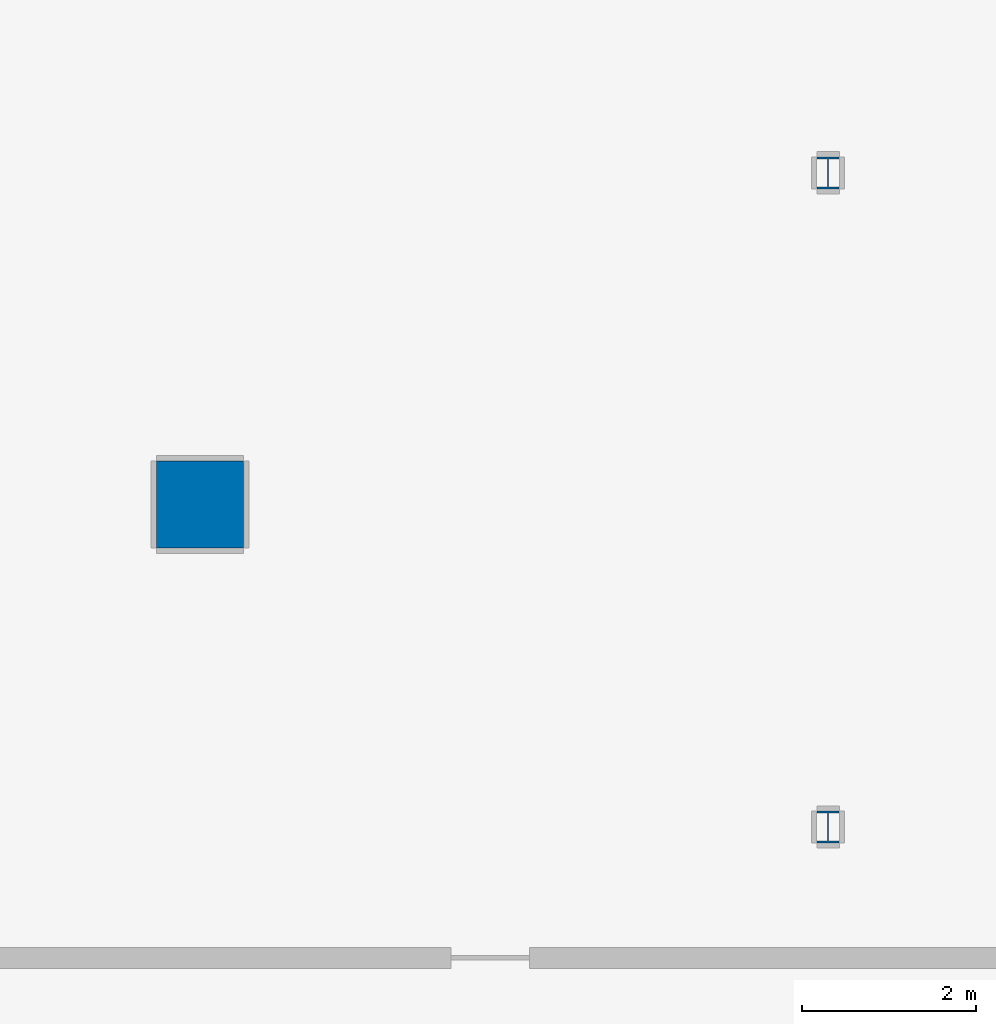
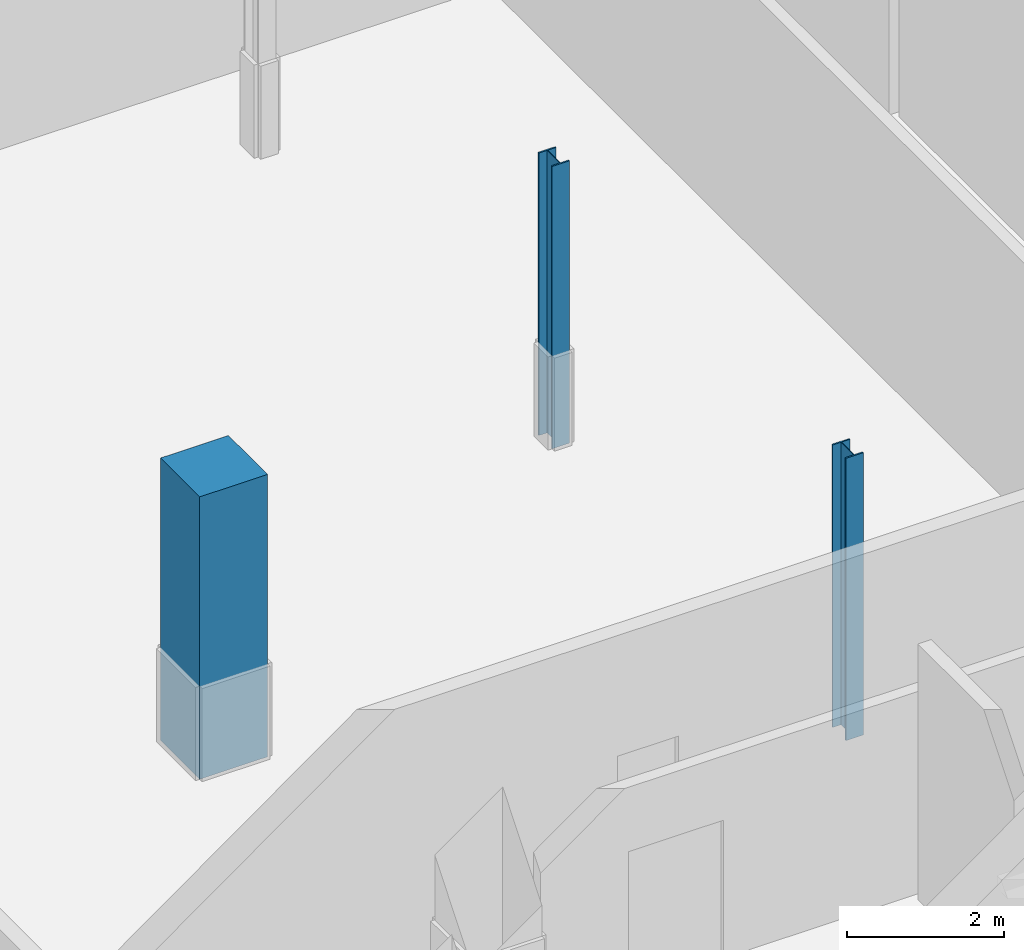
# One storey, part 2 of 22: 3 columns.
"""IFC4 building model written with IfcOpenShell, lengths in metres."""

import ifcopenshell
import ifcopenshell.guid

model = None  # the IFC model being written
_history = None  # IfcOwnerHistory: only IFC2X3 demands one
_inside = {}  # id of a spatial element -> (the spatial element, [elements in it])
_under = {}  # id of a project, library or spatial element -> (it, [spatial elements below it])
_declared = {}  # id of a project -> (the project, [libraries it declares])
_typed = {}  # id of a type object -> (the type object, [elements of that type])
_made_of = {}  # id of a material, layer set ... -> (it, [elements and type objects made of it])


def new_model(schema):
    """Start an empty IFC model of exactly this schema.

    Asked for "IFC4X3", IfcOpenShell would pick the latest addendum, in which some entities
    have other attributes; the version numbers below select the first issue.
    IFC2X3 requires an IfcOwnerHistory on every rooted entity: one is made here for all.
    """
    global model, _history
    if schema == "IFC4X3":
        model = ifcopenshell.file(schema_version=(4, 3, 0, 0))
    else:
        model = ifcopenshell.file(schema=schema)
    _inside.clear()
    _under.clear()
    _declared.clear()
    _typed.clear()
    _made_of.clear()
    _history = None
    if model.schema == "IFC2X3":
        org = make("IfcOrganization", Name="unknown")
        user = make(
            "IfcPersonAndOrganization",
            ThePerson=make("IfcPerson", FamilyName="unknown"),
            TheOrganization=org,
        )
        app = make(
            "IfcApplication",
            ApplicationDeveloper=org,
            Version="unknown",
            ApplicationFullName="unknown",
            ApplicationIdentifier="unknown",
        )
        _history = make(
            "IfcOwnerHistory",
            OwningUser=user,
            OwningApplication=app,
            ChangeAction="ADDED",
            CreationDate=0,
        )
    return model


def make(cls, **values):
    """One entity of the class cls with the attributes given. An attribute that is None is left unset."""
    return model.create_entity(
        cls, **{name: value for name, value in values.items() if value is not None}
    )


def rooted(cls, **values):
    """An entity with a GlobalId (a new one), such as an element, a storey or a relation."""
    return make(cls, GlobalId=ifcopenshell.guid.new(), OwnerHistory=_history, **values)


def si_unit(unit_type, name, prefix=None):
    """IfcSIUnit, for example si_unit("LENGTHUNIT", "METRE", prefix="MILLI")."""
    return make("IfcSIUnit", UnitType=unit_type, Prefix=prefix, Name=name)


def assignment(units):
    """IfcUnitAssignment: the units of a project."""
    return None if units is None else make("IfcUnitAssignment", Units=units)


def point(xyz):
    """IfcCartesianPoint."""
    return None if xyz is None else make("IfcCartesianPoint", Coordinates=xyz)


def direction(xyz):
    """IfcDirection."""
    return None if xyz is None else make("IfcDirection", DirectionRatios=xyz)


def frame(location, z_axis=None, x_axis=None):
    """IfcAxis2Placement3D, a coordinate frame: its origin and axes. An axis left out is left unset."""
    return make(
        "IfcAxis2Placement3D",
        Location=point(location),
        Axis=direction(z_axis),
        RefDirection=direction(x_axis),
    )


def frame_2d(location, x_axis=None):
    """IfcAxis2Placement2D, a coordinate frame in the plane: its origin and x axis."""
    return make(
        "IfcAxis2Placement2D", Location=point(location), RefDirection=direction(x_axis)
    )


def origin():
    """The frame at (0, 0, 0) with its axes left unset."""
    return frame((0.0, 0.0, 0.0))


def origin_2d():
    """The frame at (0, 0) in the plane with its x axis left unset."""
    return frame_2d((0.0, 0.0))


def place(relative_to, where):
    """IfcLocalPlacement: puts the frame where relative to a parent placement (None: the world)."""
    return make(
        "IfcLocalPlacement", PlacementRelTo=relative_to, RelativePlacement=where
    )


def context(
    kind, dimensions, precision=None, world=None, true_north=None, identifier=None
):
    """IfcGeometricRepresentationContext, for example the 3D "Model" context."""
    return make(
        "IfcGeometricRepresentationContext",
        ContextIdentifier=identifier,
        ContextType=kind,
        CoordinateSpaceDimension=dimensions,
        Precision=precision,
        WorldCoordinateSystem=world,
        TrueNorth=true_north,
    )


def subcontext(parent, identifier, kind, view, scale=None):
    """IfcGeometricRepresentationSubContext, for example "Body" below "Model"."""
    return make(
        "IfcGeometricRepresentationSubContext",
        ContextIdentifier=identifier,
        ContextType=kind,
        ParentContext=parent,
        TargetScale=scale,
        TargetView=view,
    )


def project(units=None, contexts=None):
    """IfcProject with its units and contexts."""
    return rooted(
        "IfcProject",
        Name="project",
        RepresentationContexts=contexts,
        UnitsInContext=assignment(units),
    )


def spatial(cls, under=None, at=None, **own):
    """A site, building, storey or space (cls), placed at a placement, below another one or the project."""
    s = rooted(cls, ObjectPlacement=at, **own)
    if under is not None:
        _under.setdefault(under.id(), (under, []))[1].append(s)
    return s


def profile(cls, at=None, kind="AREA", **sizes):
    """A parametric profile (cls). Its sizes go by their IFC names, for example OverallWidth=200.0."""
    return make(cls, ProfileType=kind, Position=at, **sizes)


def rectangle(**sizes):
    """IfcRectangleProfileDef."""
    return profile("IfcRectangleProfileDef", **sizes)


def i_section(**sizes):
    """IfcIShapeProfileDef."""
    return profile("IfcIShapeProfileDef", **sizes)


def extrude(swept, where, along, depth):
    """IfcExtrudedAreaSolid: the profile swept, set in the frame where, extruded along a direction by depth."""
    return make(
        "IfcExtrudedAreaSolid",
        SweptArea=swept,
        Position=where,
        ExtrudedDirection=direction(along),
        Depth=depth,
    )


def shape(context_of_items, identifier, shape_type, items):
    """IfcShapeRepresentation: the items that make up one representation, for example the "Body"."""
    return make(
        "IfcShapeRepresentation",
        ContextOfItems=context_of_items,
        RepresentationIdentifier=identifier,
        RepresentationType=shape_type,
        Items=items,
    )


def material(Name=None, Category=None):
    """IfcMaterial."""
    return make("IfcMaterial", Name=Name, Category=Category)


def material_profile(
    of_material, cross_section, Name=None, Category=None, Priority=None
):
    """IfcMaterialProfile: a cross section and its material."""
    return make(
        "IfcMaterialProfile",
        Name=Name,
        Material=of_material,
        Profile=cross_section,
        Priority=Priority,
        Category=Category,
    )


def profile_set(profiles, Name=None, composite=None):
    """IfcMaterialProfileSet."""
    return make(
        "IfcMaterialProfileSet",
        Name=Name,
        MaterialProfiles=profiles,
        CompositeProfile=composite,
    )


def made_of(thing, what):
    """Note that an element or type object is made of a material, layer set ...; save() writes the relation."""
    if what is not None:
        _made_of.setdefault(what.id(), (what, []))[1].append(thing)
    return thing


def type_object(cls, material=None, **own):
    """A type object (cls), such as IfcWallType, which elements share."""
    return made_of(rooted(cls, **own), material)


def element(
    cls,
    number,
    at=None,
    inside=None,
    cuts=None,
    type_object=None,
    material=None,
    context=None,
    identifier="Body",
    shape_type=None,
    held_by="IfcProductDefinitionShape",
    body=None,
    shapes=None,
    **own,
):
    """One element of the class cls, such as IfcWall. Its Tag is "e" and its number.

    at: its placement. inside: the storey or other place that contains it. cuts: it is an
    opening in that element (IfcRelVoidsElement). A single representation is given by context,
    identifier, shape_type and body (its items); several are given by shapes. held_by: the class
    of the entity that holds the representations. save() writes the other relations.
    """
    e = rooted(cls, Tag="e%d" % number, ObjectPlacement=at, **own)
    if body is not None:
        shapes = [shape(context, identifier, shape_type, body)]
    if shapes is not None:
        e.Representation = make(held_by, Representations=shapes)
    if inside is not None:
        _inside.setdefault(inside.id(), (inside, []))[1].append(e)
    if cuts is not None:
        rooted(
            "IfcRelVoidsElement", RelatingBuildingElement=cuts, RelatedOpeningElement=e
        )
    if type_object is not None:
        _typed.setdefault(type_object.id(), (type_object, []))[1].append(e)
    return made_of(e, material)


def aggregate(whole, parts):
    """IfcRelAggregates: a whole, such as a stair, and the parts it consists of."""
    return rooted("IfcRelAggregates", RelatingObject=whole, RelatedObjects=parts)


def save(model, path):
    """Write the relations noted so far, then the file.

    IfcRelAggregates (storeys below a building ...), IfcRelContainedInSpatialStructure (elements
    in a storey), IfcRelDefinesByType, IfcRelAssociatesMaterial and IfcRelDeclares: one each for
    every whole, place, type object, material and project.
    """
    for whole, parts in _under.values():
        aggregate(whole, parts)
    for where, things in _inside.values():
        rooted(
            "IfcRelContainedInSpatialStructure",
            RelatedElements=things,
            RelatingStructure=where,
        )
    for kind, things in _typed.values():
        rooted("IfcRelDefinesByType", RelatedObjects=things, RelatingType=kind)
    for what, things in _made_of.values():
        rooted("IfcRelAssociatesMaterial", RelatedObjects=things, RelatingMaterial=what)
    for by, libraries in _declared.values():
        rooted("IfcRelDeclares", RelatingContext=by, RelatedDefinitions=libraries)
    model.write(path)


model = new_model("IFC4")

# Units and contexts
model_context = context("Model", 3, precision=1e-05, world=origin(), true_north=direction((0.0, 1.0)))
body_context = subcontext(model_context, "Body", "Model", "MODEL_VIEW")
ifc_project = project(units=[si_unit("LENGTHUNIT", "METRE"), si_unit("AREAUNIT", "SQUARE_METRE"), si_unit("VOLUMEUNIT", "CUBIC_METRE"), si_unit("PLANEANGLEUNIT", "RADIAN"), si_unit("MASSUNIT", "GRAM", prefix="KILO")], contexts=[model_context])

# Site, building, storey
site_placement = place(None, origin())
site = spatial("IfcSite", under=ifc_project, at=site_placement, CompositionType="ELEMENT")
building_placement = place(site_placement, origin())
building = spatial("IfcBuilding", under=site, at=building_placement, Name="Solanera Arch Residences", CompositionType="ELEMENT")
storey_placement = place(building_placement, frame((0.0, 0.0, -4.39990234375)))
storey = spatial("IfcBuildingStorey", under=building, at=storey_placement, Name="B01", CompositionType="ELEMENT", Elevation=-4.39990234375)

# Columns
ifc_material_1 = material(Name="Concrete C55/67 (f'c = 60 MPa)", Category="concrete")
ifc_material_profile_1 = material_profile(ifc_material_1, rectangle(XDim=1.0, YDim=1.0, at=origin_2d()))
ifc_profile_set_1 = profile_set([ifc_material_profile_1], Name="Concrete C55/67 (f'c = 60 MPa)")
column_type_1 = type_object("IfcColumnType", Name="Structural Column RC-COL-1000X1000", PredefinedType="COLUMN", material=ifc_profile_set_1)
column_placement = place(storey_placement, frame((55.800048828125, 26.800048828125, 0.0), z_axis=(0.0, 0.0, 1.0), x_axis=(1.0, 0.0, 0.0)))
element("IfcColumn", 1, at=column_placement, inside=storey, type_object=column_type_1, Name="COL-B01-HALL-03", PredefinedType="COLUMN", context=body_context, shape_type="SweptSolid", body=[
    extrude(rectangle(XDim=1.0, YDim=1.0, at=origin_2d()), origin(), (0.0, 0.0, 1.0), 4.39990234375),
])
ifc_material_2 = material(Name="Steel S355 (ASTM A992 / A572 Grade 50)", Category="steel")
ifc_material_profile_2 = material_profile(ifc_material_2, i_section(OverallWidth=0.257080078125, OverallDepth=0.363037109375, WebThickness=0.012939453125, FlangeThickness=0.021728515625, at=origin_2d()))
ifc_profile_set_2 = profile_set([ifc_material_profile_2], Name="Steel S355 (ASTM A992 / A572 Grade 50)")
column_type_2 = type_object("IfcColumnType", Name="Structural Column W360X122", PredefinedType="COLUMN", material=ifc_profile_set_2)
for number, where, z_axis, x_axis, name in (
    (2, (63.0, 23.10009765625, 0.0), (0.0, 0.0, 1.0), (1.0, 0.0, 0.0), "COL-B01-PAD-01"),
    (3, (63.0, 30.60009765625, 0.0), (0.0, 0.0, 1.0), (1.0, 0.0, 0.0), "COL-B01-PAD-03"),
):
    element("IfcColumn", number, at=place(storey_placement, frame(where, z_axis=z_axis, x_axis=x_axis)), inside=storey, type_object=column_type_2, Name=name, PredefinedType="COLUMN", context=body_context, shape_type="SweptSolid", body=[
        extrude(i_section(OverallWidth=0.257080078125, OverallDepth=0.363037109375, WebThickness=0.012939453125, FlangeThickness=0.021728515625, at=origin_2d()), origin(), (0.0, 0.0, 1.0), 4.39990234375),
    ])

save(model, "model.ifc")
